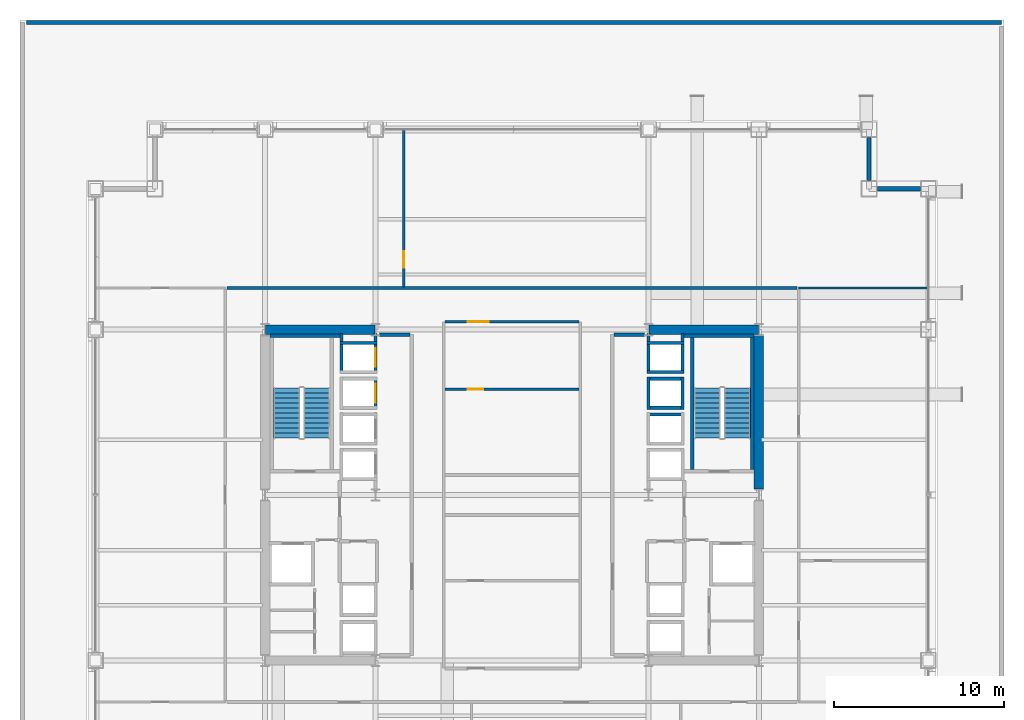
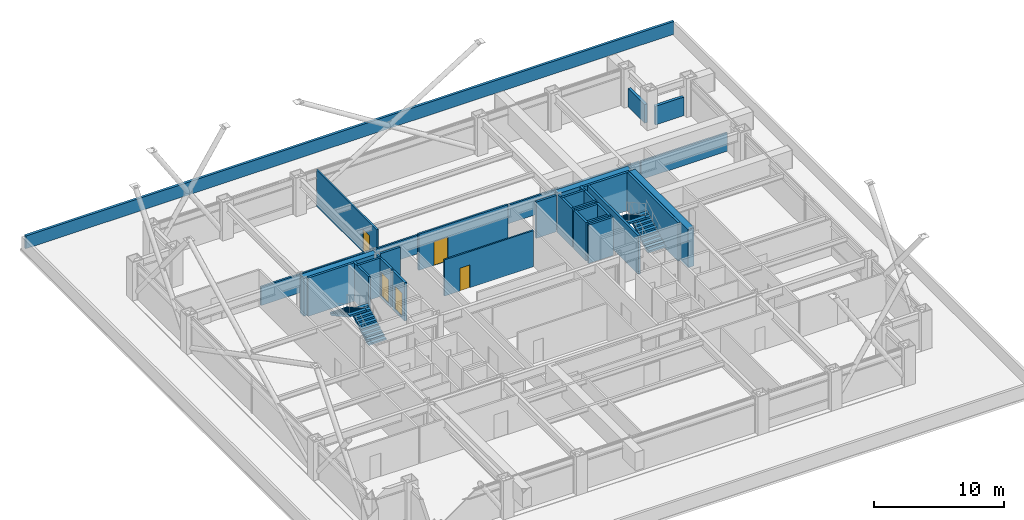
# One storey, part 32 of 33: 30 walls, 5 doors, 4 stair flights, 5 openings, 2 elements without a shape of their own.
"""IFC4 building model written with IfcOpenShell, lengths in metres."""

from ifc_helpers import new_model, si_unit, direction, frame, frame_2d, origin, place, context, subcontext, project, spatial, polyline, rectangle, outline, extrude, material, layer, layer_set, type_object, element, fill, aggregate, save


model = new_model("IFC4")

# Units and contexts
model_context = context("Model", 3, precision=1e-05, world=origin(), true_north=direction((0.0, 1.0)))
body_context = subcontext(model_context, "Body", "Model", "MODEL_VIEW")
ifc_project = project(units=[si_unit("LENGTHUNIT", "METRE"), si_unit("AREAUNIT", "SQUARE_METRE"), si_unit("VOLUMEUNIT", "CUBIC_METRE"), si_unit("PLANEANGLEUNIT", "RADIAN"), si_unit("MASSUNIT", "GRAM", prefix="KILO")], contexts=[model_context])

# Site, building, storey
site_placement = place(None, origin())
site = spatial("IfcSite", under=ifc_project, at=site_placement, CompositionType="ELEMENT")
building_placement = place(site_placement, origin())
building = spatial("IfcBuilding", under=site, at=building_placement, Name="Brelmoor Portico Tower", CompositionType="ELEMENT")
storey_placement = place(building_placement, frame((0.0, 0.0, 24.0)))
storey = spatial("IfcBuildingStorey", under=building, at=storey_placement, Name="L05", CompositionType="ELEMENT", Elevation=24.0)

# Walls
ifc_material_1 = material(Name="Concrete C60", Category="concrete")
ifc_layer_1 = layer(ifc_material_1, 0.550048828125)
ifc_layer_set_1 = layer_set([ifc_layer_1], Name="Concrete C60")
wall_type_1 = type_object("IfcWallType", Name="WL-CORE-550", PredefinedType="SHEAR", material=ifc_layer_set_1)
for number, where, z_axis, x_axis, name in (
    (1, (-14.530029296875, 9.75, -0.199951171875), (0.0, 0.0, 1.0), (1.0, 0.0, 0.0), "L05 WC North Shear Wall"),
    (2, (8.070068359375, 9.75, -0.199951171875), (0.0, 0.0, 1.0), (1.0, 0.0, 0.0), "L05 EC North Shear Wall"),
):
    element("IfcWall", number, at=place(storey_placement, frame(where, z_axis=z_axis, x_axis=x_axis)), inside=storey, type_object=wall_type_1, Name=name, PredefinedType="SHEAR", context=body_context, shape_type="SweptSolid", body=[
        extrude(rectangle(XDim=6.4599609375, YDim=0.550048828125, at=frame_2d((3.22998046875, 0.0))), origin(), (0.0, 0.0, 1.0), 3.599853515625),
    ])
wall_1_placement = place(storey_placement, frame((14.550048828125, 0.35009765625, -0.199951171875), z_axis=(0.0, 0.0, 1.0), x_axis=(0.0, 1.0, 0.0)))
element("IfcWall", 3, at=wall_1_placement, inside=storey, type_object=wall_type_1, Name="L05 EC Outer North Shear Wall", PredefinedType="SHEAR", context=body_context, shape_type="SweptSolid", body=[
    extrude(rectangle(XDim=9.0498046875, YDim=0.550048828125, at=frame_2d((4.52490234375, 0.0))), origin(), (0.0, 0.0, 1.0), 3.599853515625),
])
ifc_material_2 = material(Name="Precast Concrete C40 Insulated Facade Wall", Category="concrete")
ifc_layer_2 = layer(ifc_material_2, 0.25)
ifc_layer_set_2 = layer_set([ifc_layer_2], Name="Precast Concrete C40 Insulated Facade Wall")
wall_type_2 = type_object("IfcWallType", Name="WL-EXT-250", PredefinedType="STANDARD", material=ifc_layer_set_2)
for number, where, z_axis, x_axis, name in (
    (4, (21.534912109375, 18.050048828125, 0.0), (0.0, 0.0, 1.0), (1.0, 0.0, 0.0), "L05 Corner Notch Facade Wall NNEH1"),
    (5, (21.050048828125, 18.534912109375, 0.0), (0.0, 0.0, 1.0), (0.0, 1.0, 0.0), "L05 Corner Notch Facade Wall NNEV1"),
):
    element("IfcWall", number, at=place(storey_placement, frame(where, z_axis=z_axis, x_axis=x_axis)), inside=storey, type_object=wall_type_2, Name=name, PredefinedType="STANDARD", context=body_context, shape_type="SweptSolid", body=[
        extrude(rectangle(XDim=2.530029296875, YDim=0.25, at=frame_2d((1.26513671875, 0.0))), origin(), (0.0, 0.0, 1.0), 1.739990234375),
    ])
ifc_material_3 = material(Name="Concrete C40 Parapet Upstand", Category="concrete")
ifc_layer_3 = layer(ifc_material_3, 0.219970703125)
ifc_layer_set_3 = layer_set([ifc_layer_3], Name="Concrete C40 Parapet Upstand")
wall_type_3 = type_object("IfcWallType", Name="WL-PARAPET-220", PredefinedType="PARAPET", material=ifc_layer_set_3)
wall_2_placement = place(storey_placement, frame((28.85009765625, 27.85009765625, 0.0), z_axis=(0.0, 0.0, 1.0), x_axis=(-1.0, 0.0, 0.0)))
element("IfcWall", 6, at=wall_2_placement, inside=storey, type_object=wall_type_3, Name="L05 Roof Parapet Wall 03", PredefinedType="PARAPET", context=body_context, shape_type="SweptSolid", body=[
    extrude(rectangle(XDim=57.47998046875, YDim=0.219970703125, at=frame_2d((28.739990234375, 0.0))), origin(), (0.0, 0.0, 1.0), 1.199951171875),
])

# Wall, opening, door
ifc_material_4 = material(Name="Insulated Stud Suite Partition", Category="gypsum")
ifc_layer_4 = layer(ifc_material_4, 0.139892578125)
ifc_layer_set_4 = layer_set([ifc_layer_4], Name="Insulated Stud Suite Partition")
wall_type_4 = type_object("IfcWallType", Name="WL-PART-140", PredefinedType="PARTITIONING", material=ifc_layer_set_4)
wall_3_placement = place(storey_placement, frame((-3.949951171875, 6.239990234375, 0.0), z_axis=(0.0, 0.0, 1.0), x_axis=(1.0, 0.0, 0.0)))
wall_3 = element("IfcWall", 7, at=wall_3_placement, inside=storey, type_object=wall_type_4, Name="L05 Central Archive Divider", PredefinedType="PARTITIONING", context=body_context, shape_type="SweptSolid", body=[
    extrude(rectangle(XDim=7.89990234375, YDim=0.139892578125, at=frame_2d((3.949951171875, 0.0))), origin(), (0.0, 0.0, 1.0), 3.39990234375),
])
opening_1_placement = place(wall_3_placement, frame((1.35009765625, 0.0, 0.0)))
opening_1 = element("IfcOpeningElement", 8, at=opening_1_placement, cuts=wall_3, Name="Opening D-IN1", PredefinedType="OPENING", context=body_context, shape_type="SweptSolid", body=[
    extrude(rectangle(XDim=0.89990234375, YDim=2.14990234375, at=frame_2d((0.449951171875, 1.074951171875))), frame((0.0, 0.079833984375, 0.0), z_axis=(0.0, -1.0, 0.0), x_axis=(1.0, 0.0, 0.0)), (0.0, 0.0, 1.0), 0.159912109375),
])
ifc_material_5 = material(Name="Lacquered Timber Suite Door", Category="wood")
door_type_1 = type_object("IfcDoorType", Name="DR-INT-900", OperationType="NOTDEFINED", PredefinedType="DOOR", material=ifc_material_5)
door_1_placement = place(opening_1_placement, origin())
door_1 = element("IfcDoor", 9, at=door_1_placement, inside=storey, type_object=door_type_1, Name="D-0229 L05 Central File Room Door", OperationType="SINGLE_SWING_LEFT", OverallHeight=2.14990234375, OverallWidth=0.89990234375, PredefinedType="DOOR", context=body_context, shape_type="SweptSolid", body=[
    extrude(rectangle(XDim=0.89990234375, YDim=2.14990234375, at=frame_2d((0.449951171875, 1.074951171875))), frame((0.0, 0.02490234375, 0.0), z_axis=(0.0, -1.0, 0.0), x_axis=(1.0, 0.0, 0.0)), (0.0, 0.0, 1.0), 0.050048828125),
])
fill(opening_1, door_1)

wall_4_placement = place(storey_placement, frame((-6.37109375, 12.260009765625, 0.0), z_axis=(0.0, 0.0, 1.0), x_axis=(0.0, 1.0, 0.0)))
wall_4 = element("IfcWall", 10, at=wall_4_placement, inside=storey, type_object=wall_type_4, Name="L05 North Suite Partition 1", PredefinedType="PARTITIONING", context=body_context, shape_type="SweptSolid", body=[
    extrude(rectangle(XDim=9.300048828125, YDim=0.139892578125, at=frame_2d((4.64990234375, 0.0))), origin(), (0.0, 0.0, 1.0), 3.39990234375),
])
opening_2_placement = place(wall_4_placement, frame((1.14990234375, 0.0, 0.0)))
opening_2 = element("IfcOpeningElement", 11, at=opening_2_placement, cuts=wall_4, Name="Opening D-IN2", PredefinedType="OPENING", context=body_context, shape_type="SweptSolid", body=[
    extrude(rectangle(XDim=0.9599609375, YDim=2.179931640625, at=frame_2d((0.47998046875, 1.08984375))), frame((0.0, 0.079833984375, 0.0), z_axis=(0.0, -1.0, 0.0), x_axis=(1.0, 0.0, 0.0)), (0.0, 0.0, 1.0), 0.159912109375),
])
door_type_2 = type_object("IfcDoorType", Name="DR-INT-950", OperationType="NOTDEFINED", PredefinedType="DOOR", material=ifc_material_5)
door_2_placement = place(opening_2_placement, origin())
door_2 = element("IfcDoor", 12, at=door_2_placement, inside=storey, type_object=door_type_2, Name="D-0245 L05 North Suite Connecting Door 1", OperationType="SINGLE_SWING_LEFT", OverallHeight=2.179931640625, OverallWidth=0.9599609375, PredefinedType="DOOR", context=body_context, shape_type="SweptSolid", body=[
    extrude(rectangle(XDim=0.9599609375, YDim=2.179931640625, at=frame_2d((0.47998046875, 1.08984375))), frame((0.0, 0.02490234375, 0.0), z_axis=(0.0, -1.0, 0.0), x_axis=(1.0, 0.0, 0.0)), (0.0, 0.0, 1.0), 0.050048828125),
])
fill(opening_2, door_2)

# Wall
wall_5_placement = place(storey_placement, frame((16.89990234375, 12.199951171875, 0.0), z_axis=(0.0, 0.0, 1.0), x_axis=(1.0, 0.0, 0.0)))
element("IfcWall", 13, at=wall_5_placement, inside=storey, type_object=wall_type_4, Name="L05 North Outer Closure ER", PredefinedType="PARTITIONING", context=body_context, shape_type="SweptSolid", body=[
    extrude(rectangle(XDim=7.66015625, YDim=0.139892578125, at=frame_2d((3.830078125, 0.0))), origin(), (0.0, 0.0, 1.0), 1.739990234375),
])

# Wall, opening, door
ifc_material_6 = material(Name="Twin-Frame Acoustic Partition", Category="gypsum")
ifc_layer_5 = layer(ifc_material_6, 0.159912109375)
ifc_layer_set_5 = layer_set([ifc_layer_5], Name="Twin-Frame Acoustic Partition")
wall_type_5 = type_object("IfcWallType", Name="WL-PART-160", PredefinedType="PARTITIONING", material=ifc_layer_set_5)
wall_6_placement = place(storey_placement, frame((-3.949951171875, 10.219970703125, 0.0), z_axis=(0.0, 0.0, 1.0), x_axis=(1.0, 0.0, 0.0)))
wall_6 = element("IfcWall", 14, at=wall_6_placement, inside=storey, type_object=wall_type_5, Name="L05 Central Meeting Corridor Wall", PredefinedType="PARTITIONING", context=body_context, shape_type="SweptSolid", body=[
    extrude(rectangle(XDim=7.89990234375, YDim=0.159912109375, at=frame_2d((3.949951171875, 0.0))), origin(), (0.0, 0.0, 1.0), 3.39990234375),
])
opening_3_placement = place(wall_6_placement, frame((1.35009765625, 0.0, 0.0)))
opening_3 = element("IfcOpeningElement", 15, at=opening_3_placement, cuts=wall_6, Name="Opening D-SU1", PredefinedType="OPENING", context=body_context, shape_type="SweptSolid", body=[
    extrude(rectangle(XDim=1.239990234375, YDim=2.239990234375, at=frame_2d((0.6201171875, 1.1201171875))), frame((0.0, 0.08984375, 0.0), z_axis=(0.0, -1.0, 0.0), x_axis=(1.0, 0.0, 0.0)), (0.0, 0.0, 1.0), 0.179931640625),
])
ifc_material_7 = material(Name="Glazed Timber Executive Suite Door", Category="wood")
door_type_3 = type_object("IfcDoorType", Name="DR-SUITE-1200", OperationType="NOTDEFINED", PredefinedType="DOOR", material=ifc_material_7)
door_3_placement = place(opening_3_placement, origin())
door_3 = element("IfcDoor", 16, at=door_3_placement, inside=storey, type_object=door_type_3, Name="D-0228 L05 Client Meeting Room Door", OperationType="SINGLE_SWING_LEFT", OverallHeight=2.239990234375, OverallWidth=1.239990234375, PredefinedType="DOOR", context=body_context, shape_type="SweptSolid", body=[
    extrude(rectangle(XDim=1.239990234375, YDim=2.239990234375, at=frame_2d((0.6201171875, 1.1201171875))), frame((0.0, 0.02490234375, 0.0), z_axis=(0.0, -1.0, 0.0), x_axis=(1.0, 0.0, 0.0)), (0.0, 0.0, 1.0), 0.050048828125),
])
fill(opening_3, door_3)

# Walls
wall_7_placement = place(storey_placement, frame((-16.800048828125, 12.199951171875, 0.0), z_axis=(0.0, 0.0, 1.0), x_axis=(1.0, 0.0, 0.0)))
element("IfcWall", 17, at=wall_7_placement, inside=storey, type_object=wall_type_5, Name="L05 North Corridor Partition", PredefinedType="PARTITIONING", context=body_context, shape_type="SweptSolid", body=[
    extrude(rectangle(XDim=33.60009765625, YDim=0.159912109375, at=frame_2d((16.800048828125, 0.0))), origin(), (0.0, 0.0, 1.0), 1.739990234375),
])
ifc_material_8 = material(Name="Double-Stud Gypsum Fire Partition", Category="gypsum")
ifc_layer_6 = layer(ifc_material_8, 0.199951171875)
ifc_layer_set_6 = layer_set([ifc_layer_6], Name="Double-Stud Gypsum Fire Partition")
wall_type_6 = type_object("IfcWallType", Name="WL-PART-200", PredefinedType="PARTITIONING", material=ifc_layer_set_6)
for number, where, z_axis, x_axis, name in (
    (18, (-6.02001953125, 9.449951171875, 0.0), (0.0, 0.0, 1.0), (-1.0, 0.0, 0.0), "L05 W Lift Lobby North End Wall"),
    (19, (6.02001953125, 9.449951171875, 0.0), (0.0, 0.0, 1.0), (1.0, 0.0, 0.0), "L05 E Lift Lobby North End Wall"),
):
    element("IfcWall", number, at=place(storey_placement, frame(where, z_axis=z_axis, x_axis=x_axis)), inside=storey, type_object=wall_type_6, Name=name, PredefinedType="PARTITIONING", context=body_context, shape_type="SweptSolid", body=[
        extrude(rectangle(XDim=1.800048828125, YDim=0.199951171875, at=frame_2d((0.89990234375, 0.0))), origin(), (0.0, 0.0, 1.0), 3.39990234375),
    ])

# Wall, opening, door
ifc_material_9 = material(Name="Precast Concrete C40", Category="concrete")
ifc_layer_7 = layer(ifc_material_9, 0.18994140625)
ifc_layer_set_7 = layer_set([ifc_layer_7], Name="Precast Concrete C40")
wall_type_7 = type_object("IfcWallType", Name="WL-SHAFT-180", PredefinedType="SOLIDWALL", material=ifc_layer_set_7)
wall_8_placement = place(storey_placement, frame((-8.044921875, 5.050048828125, -0.199951171875), z_axis=(0.0, 0.0, 1.0), x_axis=(0.0, 1.0, 0.0)))
wall_8 = element("IfcWall", 20, at=wall_8_placement, inside=storey, type_object=wall_type_7, Name="L05 Lift PL3 Hoistway Front Wall", PredefinedType="SOLIDWALL", context=body_context, shape_type="SweptSolid", body=[
    extrude(rectangle(XDim=1.89990234375, YDim=0.18994140625, at=frame_2d((0.949951171875, 0.0))), origin(), (0.0, 0.0, 1.0), 3.599853515625),
])
opening_4_placement = place(wall_8_placement, frame((0.39990234375, 0.0, 0.199951171875)))
opening_4 = element("IfcOpeningElement", 21, at=opening_4_placement, cuts=wall_8, Name="Opening LD-01", PredefinedType="OPENING", context=body_context, shape_type="SweptSolid", body=[
    extrude(rectangle(XDim=1.10009765625, YDim=2.199951171875, at=frame_2d((0.550048828125, 1.10009765625))), frame((0.0, 0.10498046875, 0.0), z_axis=(0.0, -1.0, 0.0), x_axis=(1.0, 0.0, 0.0)), (0.0, 0.0, 1.0), 0.2099609375),
])
ifc_material_10 = material(Name="Brushed Stainless Steel Sliding Lift Door", Category="steel")
door_type_4 = type_object("IfcDoorType", Name="DR-LIFT-1100", OperationType="NOTDEFINED", PredefinedType="DOOR", material=ifc_material_10)
door_4_placement = place(opening_4_placement, origin())
door_4 = element("IfcDoor", 22, at=door_4_placement, inside=storey, type_object=door_type_4, Name="D-0264 L05 Lift PL3 Sliding Landing Door", OperationType="SLIDING_TO_LEFT", OverallHeight=2.199951171875, OverallWidth=1.10009765625, PredefinedType="DOOR", context=body_context, shape_type="SweptSolid", body=[
    extrude(rectangle(XDim=1.10009765625, YDim=2.199951171875, at=frame_2d((0.550048828125, 1.10009765625))), frame((0.0, 0.02490234375, 0.0), z_axis=(0.0, -1.0, 0.0), x_axis=(1.0, 0.0, 0.0)), (0.0, 0.0, 1.0), 0.050048828125),
])
fill(opening_4, door_4)

wall_9_placement = place(storey_placement, frame((-8.044921875, 7.14990234375, -0.199951171875), z_axis=(0.0, 0.0, 1.0), x_axis=(0.0, 1.0, 0.0)))
wall_9 = element("IfcWall", 23, at=wall_9_placement, inside=storey, type_object=wall_type_7, Name="L05 Lift PL4 Hoistway Front Wall", PredefinedType="SOLIDWALL", context=body_context, shape_type="SweptSolid", body=[
    extrude(rectangle(XDim=2.3701171875, YDim=0.18994140625, at=frame_2d((1.18505859375, 0.0))), origin(), (0.0, 0.0, 1.0), 3.599853515625),
])
opening_5_placement = place(wall_9_placement, frame((0.39990234375, 0.0, 0.199951171875)))
opening_5 = element("IfcOpeningElement", 24, at=opening_5_placement, cuts=wall_9, Name="Opening LD-01", PredefinedType="OPENING", context=body_context, shape_type="SweptSolid", body=[
    extrude(rectangle(XDim=1.10009765625, YDim=2.199951171875, at=frame_2d((0.550048828125, 1.10009765625))), frame((0.0, 0.10498046875, 0.0), z_axis=(0.0, -1.0, 0.0), x_axis=(1.0, 0.0, 0.0)), (0.0, 0.0, 1.0), 0.2099609375),
])
door_5_placement = place(opening_5_placement, origin())
door_5 = element("IfcDoor", 25, at=door_5_placement, inside=storey, type_object=door_type_4, Name="D-0265 L05 Lift PL4 Sliding Landing Door", OperationType="SLIDING_TO_LEFT", OverallHeight=2.199951171875, OverallWidth=1.10009765625, PredefinedType="DOOR", context=body_context, shape_type="SweptSolid", body=[
    extrude(rectangle(XDim=1.10009765625, YDim=2.199951171875, at=frame_2d((0.550048828125, 1.10009765625))), frame((0.0, 0.02490234375, 0.0), z_axis=(0.0, -1.0, 0.0), x_axis=(1.0, 0.0, 0.0)), (0.0, 0.0, 1.0), 0.050048828125),
])
fill(opening_5, door_5)

# Walls
wall_10_placement = place(storey_placement, frame((-10.054931640625, 7.14990234375, -0.199951171875), z_axis=(0.0, 0.0, 1.0), x_axis=(0.0, 1.0, 0.0)))
element("IfcWall", 26, at=wall_10_placement, inside=storey, type_object=wall_type_7, Name="L05 Lift PL4 Hoistway Back Wall", PredefinedType="SOLIDWALL", context=body_context, shape_type="SweptSolid", body=[
    extrude(rectangle(XDim=2.3701171875, YDim=0.18994140625, at=frame_2d((1.18505859375, 0.0))), origin(), (0.0, 0.0, 1.0), 3.599853515625),
])
for number, where, z_axis, x_axis, name in (
    (27, (-10.14990234375, 8.955078125, -0.199951171875), (0.0, 0.0, 1.0), (1.0, 0.0, 0.0), "L05 Lift PL4 Hoistway North Wall"),
    (28, (7.949951171875, 4.7548828125, -0.199951171875), (0.0, 0.0, 1.0), (1.0, 0.0, 0.0), "L05 Lift PM2 Hoistway North Wall"),
):
    element("IfcWall", number, at=place(storey_placement, frame(where, z_axis=z_axis, x_axis=x_axis)), inside=storey, type_object=wall_type_7, Name=name, PredefinedType="SOLIDWALL", context=body_context, shape_type="SweptSolid", body=[
        extrude(rectangle(XDim=2.199951171875, YDim=0.18994140625, at=frame_2d((1.10009765625, 0.0))), origin(), (0.0, 0.0, 1.0), 3.599853515625),
    ])
for number, where, z_axis, x_axis, name in (
    (29, (8.044921875, 5.050048828125, -0.199951171875), (0.0, 0.0, 1.0), (0.0, 1.0, 0.0), "L05 Lift PM3 Hoistway Front Wall"),
    (30, (10.054931640625, 5.050048828125, -0.199951171875), (0.0, 0.0, 1.0), (0.0, 1.0, 0.0), "L05 Lift PM3 Hoistway Back Wall"),
):
    element("IfcWall", number, at=place(storey_placement, frame(where, z_axis=z_axis, x_axis=x_axis)), inside=storey, type_object=wall_type_7, Name=name, PredefinedType="SOLIDWALL", context=body_context, shape_type="SweptSolid", body=[
        extrude(rectangle(XDim=1.89990234375, YDim=0.18994140625, at=frame_2d((0.949951171875, 0.0))), origin(), (0.0, 0.0, 1.0), 3.599853515625),
    ])
for number, where, z_axis, x_axis, name in (
    (31, (7.949951171875, 6.85498046875, -0.199951171875), (0.0, 0.0, 1.0), (1.0, 0.0, 0.0), "L05 Lift PM3 Hoistway North Wall"),
    (32, (7.949951171875, 5.14501953125, -0.199951171875), (0.0, 0.0, 1.0), (1.0, 0.0, 0.0), "L05 Lift PM3 Hoistway South Wall"),
):
    element("IfcWall", number, at=place(storey_placement, frame(where, z_axis=z_axis, x_axis=x_axis)), inside=storey, type_object=wall_type_7, Name=name, PredefinedType="SOLIDWALL", context=body_context, shape_type="SweptSolid", body=[
        extrude(rectangle(XDim=2.199951171875, YDim=0.18994140625, at=frame_2d((1.10009765625, 0.0))), origin(), (0.0, 0.0, 1.0), 3.599853515625),
    ])
for number, where, z_axis, x_axis, name in (
    (33, (8.044921875, 7.14990234375, -0.199951171875), (0.0, 0.0, 1.0), (0.0, 1.0, 0.0), "L05 Lift PM4 Hoistway Front Wall"),
    (34, (10.054931640625, 7.14990234375, -0.199951171875), (0.0, 0.0, 1.0), (0.0, 1.0, 0.0), "L05 Lift PM4 Hoistway Back Wall"),
):
    element("IfcWall", number, at=place(storey_placement, frame(where, z_axis=z_axis, x_axis=x_axis)), inside=storey, type_object=wall_type_7, Name=name, PredefinedType="SOLIDWALL", context=body_context, shape_type="SweptSolid", body=[
        extrude(rectangle(XDim=2.3701171875, YDim=0.18994140625, at=frame_2d((1.18505859375, 0.0))), origin(), (0.0, 0.0, 1.0), 3.599853515625),
    ])
for number, where, z_axis, x_axis, name in (
    (35, (7.949951171875, 8.955078125, -0.199951171875), (0.0, 0.0, 1.0), (1.0, 0.0, 0.0), "L05 Lift PM4 Hoistway North Wall"),
    (36, (7.949951171875, 7.2451171875, -0.199951171875), (0.0, 0.0, 1.0), (1.0, 0.0, 0.0), "L05 Lift PM4 Hoistway South Wall"),
):
    element("IfcWall", number, at=place(storey_placement, frame(where, z_axis=z_axis, x_axis=x_axis)), inside=storey, type_object=wall_type_7, Name=name, PredefinedType="SOLIDWALL", context=body_context, shape_type="SweptSolid", body=[
        extrude(rectangle(XDim=2.199951171875, YDim=0.18994140625, at=frame_2d((1.10009765625, 0.0))), origin(), (0.0, 0.0, 1.0), 3.599853515625),
    ])
ifc_material_11 = material(Name="Concrete C40", Category="concrete")
ifc_layer_8 = layer(ifc_material_11, 0.199951171875)
ifc_layer_set_8 = layer_set([ifc_layer_8], Name="Concrete C40")
wall_type_8 = type_object("IfcWallType", Name="WL-SHAFT-RC200", PredefinedType="SOLIDWALL", material=ifc_layer_set_8)
wall_11_placement = place(storey_placement, frame((14.14990234375, 1.5, -0.199951171875), z_axis=(0.0, 0.0, 1.0), x_axis=(0.0, 1.0, 0.0)))
element("IfcWall", 37, at=wall_11_placement, inside=storey, type_object=wall_type_8, Name="L05 ST-E Structural Stair Wall Outer", PredefinedType="SOLIDWALL", context=body_context, shape_type="SweptSolid", body=[
    extrude(rectangle(XDim=7.800048828125, YDim=0.199951171875, at=frame_2d((3.89990234375, 0.0))), origin(), (0.0, 0.0, 1.0), 3.599853515625),
])
for number, where, z_axis, x_axis, name in (
    (38, (-14.25, 9.39990234375, -0.199951171875), (0.0, 0.0, 1.0), (1.0, 0.0, 0.0), "L05 ST-W Structural Stair Wall N"),
    (39, (10.14990234375, 9.39990234375, -0.199951171875), (0.0, 0.0, 1.0), (1.0, 0.0, 0.0), "L05 ST-E Structural Stair Wall N"),
):
    element("IfcWall", number, at=place(storey_placement, frame(where, z_axis=z_axis, x_axis=x_axis)), inside=storey, type_object=wall_type_8, Name=name, PredefinedType="SOLIDWALL", context=body_context, shape_type="SweptSolid", body=[
        extrude(rectangle(XDim=4.10009765625, YDim=0.199951171875, at=frame_2d((2.050048828125, 0.0))), origin(), (0.0, 0.0, 1.0), 3.599853515625),
    ])
wall_12_placement = place(storey_placement, frame((10.6298828125, 1.5, -0.199951171875), z_axis=(0.0, 0.0, 1.0), x_axis=(0.0, 1.0, 0.0)))
element("IfcWall", 40, at=wall_12_placement, inside=storey, type_object=wall_type_8, Name="L05 ST-E Structural Stair Wall Inner", PredefinedType="SOLIDWALL", context=body_context, shape_type="SweptSolid", body=[
    extrude(rectangle(XDim=7.800048828125, YDim=0.199951171875, at=frame_2d((3.89990234375, 0.0))), origin(), (0.0, 0.0, 1.0), 3.599853515625),
])

# Stair, stair flights
stair_type_1 = type_object("IfcStairType", Name="ST-CORE-W", PredefinedType="HALF_TURN_STAIR", material=ifc_material_11)
stair_1_placement = place(storey_placement, origin())
stair_1 = element("IfcStair", 41, at=stair_1_placement, inside=storey, type_object=stair_type_1, Name="L05 Protected Core Exit Stair ST-W", PredefinedType="HALF_TURN_STAIR")
stair_flight_type = type_object("IfcStairFlightType", Name="SF-CORE-1850", PredefinedType="STRAIGHT", material=ifc_material_11)
stair_flight_1_placement = place(storey_placement, frame((-11.510009765625, 3.35009765625, 0.0), z_axis=(0.0, 0.0, 1.0), x_axis=(0.0, 1.0, 0.0)))
stair_flight_1 = element("IfcStairFlight", 42, at=stair_flight_1_placement, type_object=stair_flight_type, Name="ST-W flight 1", NumberOfRisers=11, NumberOfTreads=10, PredefinedType="STRAIGHT", RiserHeight=0.163636364, TreadLength=0.295, context=body_context, shape_type="SweptSolid", body=[
    extrude(outline(polyline([(0.0, 0.0), (0.0, 0.16357421875), (0.294921875, 0.16357421875), (0.294921875, 0.327392578125), (0.590087890625, 0.327392578125), (0.590087890625, 0.490966796875), (0.885009765625, 0.490966796875), (0.885009765625, 0.654541015625), (1.179931640625, 0.654541015625), (1.179931640625, 0.818115234375), (1.47509765625, 0.818115234375), (1.47509765625, 0.98193359375), (1.77001953125, 0.98193359375), (1.77001953125, 1.1455078125), (2.06494140625, 1.1455078125), (2.06494140625, 1.30908203125), (2.360107421875, 1.30908203125), (2.360107421875, 1.47265625), (2.655029296875, 1.47265625), (2.655029296875, 1.636474609375), (2.949951171875, 1.636474609375), (2.949951171875, 1.800048828125), (2.949951171875, 1.46484375), (0.30908203125, 0.0), (0.0, 0.0)])), frame((0.0, 0.780029296875, 0.0), z_axis=(0.0, -1.0, 0.0), x_axis=(1.0, 0.0, 0.0)), (0.0, 0.0, 1.0), 1.56005859375),
])
stair_flight_2_placement = place(storey_placement, frame((-13.27001953125, 6.300048828125, 1.800048828125), z_axis=(0.0, 0.0, 1.0), x_axis=(0.0, -1.0, 0.0)))
stair_flight_2 = element("IfcStairFlight", 43, at=stair_flight_2_placement, type_object=stair_flight_type, Name="ST-W flight 2", NumberOfRisers=11, NumberOfTreads=10, PredefinedType="STRAIGHT", RiserHeight=0.163636364, TreadLength=0.295, context=body_context, shape_type="SweptSolid", body=[
    extrude(outline(polyline([(0.0, 0.0), (0.0, 0.16357421875), (0.294921875, 0.16357421875), (0.294921875, 0.327392578125), (0.590087890625, 0.327392578125), (0.590087890625, 0.490966796875), (0.885009765625, 0.490966796875), (0.885009765625, 0.654541015625), (1.179931640625, 0.654541015625), (1.179931640625, 0.818115234375), (1.47509765625, 0.818115234375), (1.47509765625, 0.98193359375), (1.77001953125, 0.98193359375), (1.77001953125, 1.1455078125), (2.06494140625, 1.1455078125), (2.06494140625, 1.30908203125), (2.360107421875, 1.30908203125), (2.360107421875, 1.47265625), (2.655029296875, 1.47265625), (2.655029296875, 1.636474609375), (2.949951171875, 1.636474609375), (2.949951171875, 1.800048828125), (2.949951171875, 1.46484375), (0.30908203125, 0.0), (0.0, 0.0)])), frame((0.0, 0.780029296875, 0.0), z_axis=(0.0, -1.0, 0.0), x_axis=(1.0, 0.0, 0.0)), (0.0, 0.0, 1.0), 1.56005859375),
])
aggregate(stair_1, [stair_flight_1, stair_flight_2])

stair_type_2 = type_object("IfcStairType", Name="ST-CORE-E", PredefinedType="HALF_TURN_STAIR", material=ifc_material_11)
stair_2_placement = place(storey_placement, origin())
stair_2 = element("IfcStair", 44, at=stair_2_placement, inside=storey, type_object=stair_type_2, Name="L05 Protected Core Exit Stair ST-E", PredefinedType="HALF_TURN_STAIR")
stair_flight_3_placement = place(storey_placement, frame((13.27001953125, 3.35009765625, 0.0), z_axis=(0.0, 0.0, 1.0), x_axis=(0.0, 1.0, 0.0)))
stair_flight_3 = element("IfcStairFlight", 45, at=stair_flight_3_placement, type_object=stair_flight_type, Name="ST-E flight 1", NumberOfRisers=11, NumberOfTreads=10, PredefinedType="STRAIGHT", RiserHeight=0.163636364, TreadLength=0.295, context=body_context, shape_type="SweptSolid", body=[
    extrude(outline(polyline([(0.0, 0.0), (0.0, 0.16357421875), (0.294921875, 0.16357421875), (0.294921875, 0.327392578125), (0.590087890625, 0.327392578125), (0.590087890625, 0.490966796875), (0.885009765625, 0.490966796875), (0.885009765625, 0.654541015625), (1.179931640625, 0.654541015625), (1.179931640625, 0.818115234375), (1.47509765625, 0.818115234375), (1.47509765625, 0.98193359375), (1.77001953125, 0.98193359375), (1.77001953125, 1.1455078125), (2.06494140625, 1.1455078125), (2.06494140625, 1.30908203125), (2.360107421875, 1.30908203125), (2.360107421875, 1.47265625), (2.655029296875, 1.47265625), (2.655029296875, 1.636474609375), (2.949951171875, 1.636474609375), (2.949951171875, 1.800048828125), (2.949951171875, 1.46484375), (0.30908203125, 0.0), (0.0, 0.0)])), frame((0.0, 0.780029296875, 0.0), z_axis=(0.0, -1.0, 0.0), x_axis=(1.0, 0.0, 0.0)), (0.0, 0.0, 1.0), 1.56005859375),
])
stair_flight_4_placement = place(storey_placement, frame((11.510009765625, 6.300048828125, 1.800048828125), z_axis=(0.0, 0.0, 1.0), x_axis=(0.0, -1.0, 0.0)))
stair_flight_4 = element("IfcStairFlight", 46, at=stair_flight_4_placement, type_object=stair_flight_type, Name="ST-E flight 2", NumberOfRisers=11, NumberOfTreads=10, PredefinedType="STRAIGHT", RiserHeight=0.163636364, TreadLength=0.295, context=body_context, shape_type="SweptSolid", body=[
    extrude(outline(polyline([(0.0, 0.0), (0.0, 0.16357421875), (0.294921875, 0.16357421875), (0.294921875, 0.327392578125), (0.590087890625, 0.327392578125), (0.590087890625, 0.490966796875), (0.885009765625, 0.490966796875), (0.885009765625, 0.654541015625), (1.179931640625, 0.654541015625), (1.179931640625, 0.818115234375), (1.47509765625, 0.818115234375), (1.47509765625, 0.98193359375), (1.77001953125, 0.98193359375), (1.77001953125, 1.1455078125), (2.06494140625, 1.1455078125), (2.06494140625, 1.30908203125), (2.360107421875, 1.30908203125), (2.360107421875, 1.47265625), (2.655029296875, 1.47265625), (2.655029296875, 1.636474609375), (2.949951171875, 1.636474609375), (2.949951171875, 1.800048828125), (2.949951171875, 1.46484375), (0.30908203125, 0.0), (0.0, 0.0)])), frame((0.0, 0.780029296875, 0.0), z_axis=(0.0, -1.0, 0.0), x_axis=(1.0, 0.0, 0.0)), (0.0, 0.0, 1.0), 1.56005859375),
])
aggregate(stair_2, [stair_flight_3, stair_flight_4])

save(model, "model.ifc")
